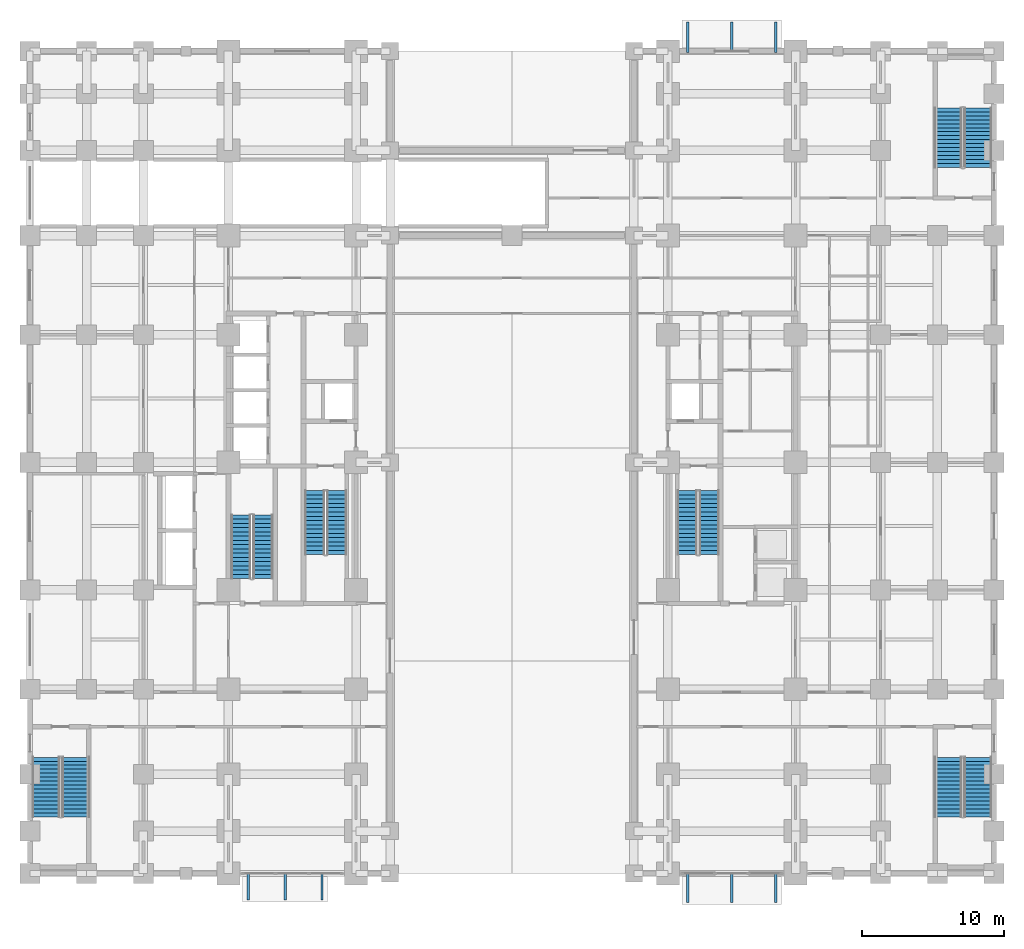
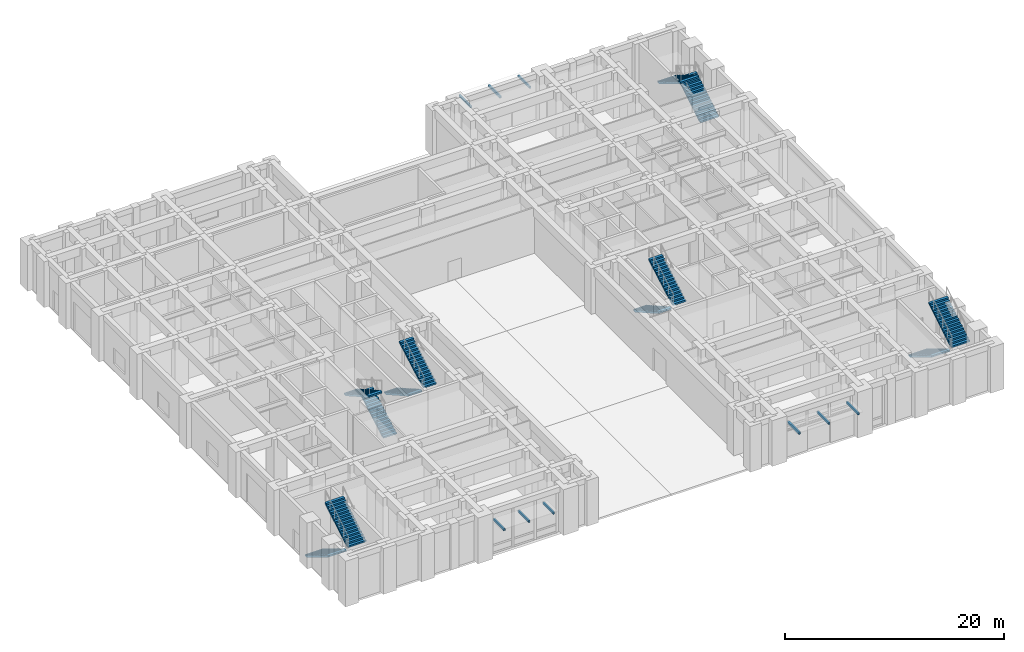
# One storey, part 13 of 20: 12 stair flights, 9 discrete accessories, 6 elements without a shape of their own.
"""IFC4 building model written with IfcOpenShell, lengths in metres."""

from ifc_helpers import new_model, si_unit, direction, frame, origin, place, context, subcontext, project, spatial, polyline, outline, extrude, material, layer, layer_set, type_object, element, aggregate, save


model = new_model("IFC4")

# Units and contexts
model_context = context("Model", 3, precision=1e-05, world=origin(), true_north=direction((0.0, 1.0)))
body_context = subcontext(model_context, "Body", "Model", "MODEL_VIEW")
ifc_project = project(units=[si_unit("LENGTHUNIT", "METRE"), si_unit("AREAUNIT", "SQUARE_METRE"), si_unit("VOLUMEUNIT", "CUBIC_METRE"), si_unit("PLANEANGLEUNIT", "RADIAN"), si_unit("MASSUNIT", "GRAM", prefix="KILO")], contexts=[model_context])

# Site, building, storey
site_placement = place(None, origin())
site = spatial("IfcSite", under=ifc_project, at=site_placement, CompositionType="ELEMENT")
building_placement = place(site_placement, origin())
building = spatial("IfcBuilding", under=site, at=building_placement, Name="Zulmaris Gate Convention Tower", CompositionType="ELEMENT")
storey_placement = place(building_placement, origin())
storey = spatial("IfcBuildingStorey", under=building, at=storey_placement, Name="L00", CompositionType="ELEMENT", Elevation=0.0)

# Stair, stair flights
ifc_material_1 = material(Name="Concrete C45/55", Category="concrete")
stair_type_1 = type_object("IfcStairType", Name="ST-CORE-DOGLEG", PredefinedType="HALF_TURN_STAIR", material=ifc_material_1)
stair_1_placement = place(storey_placement, origin())
stair_1 = element("IfcStair", 1, at=stair_1_placement, inside=storey, type_object=stair_type_1, Name="L00 Core Exit Stair ST-1", PredefinedType="HALF_TURN_STAIR")
ifc_layer_1 = layer(ifc_material_1, 0.14990234375, Name="Concrete C45/55")
ifc_layer_set_1 = layer_set([ifc_layer_1], Name="Concrete C45/55")
stair_flight_type_1 = type_object("IfcStairFlightType", Name="STF-RC150", PredefinedType="STRAIGHT", material=ifc_layer_set_1)
stair_flight_1_placement = place(storey_placement, frame((-13.919921875, -2.0, 0.0), z_axis=(0.0, 0.0, 1.0), x_axis=(0.0, -1.0, 0.0)))
stair_flight_1 = element("IfcStairFlight", 2, at=stair_flight_1_placement, type_object=stair_flight_type_1, Name="ST-1 flight 1", NumberOfRisers=16, NumberOfTreads=15, PredefinedType="STRAIGHT", RiserHeight=0.169996875, TreadLength=0.3, context=body_context, shape_type="SweptSolid", body=[
    extrude(outline(polyline([(0.0, 0.0), (0.0, 0.169921875), (0.300048828125, 0.169921875), (0.300048828125, 0.340087890625), (0.60009765625, 0.340087890625), (0.60009765625, 0.510009765625), (0.89990234375, 0.510009765625), (0.89990234375, 0.679931640625), (1.199951171875, 0.679931640625), (1.199951171875, 0.85009765625), (1.5, 0.85009765625), (1.5, 1.02001953125), (1.800048828125, 1.02001953125), (1.800048828125, 1.18994140625), (2.10009765625, 1.18994140625), (2.10009765625, 1.35986328125), (2.39990234375, 1.35986328125), (2.39990234375, 1.530029296875), (2.699951171875, 1.530029296875), (2.699951171875, 1.699951171875), (3.0, 1.699951171875), (3.0, 1.869873046875), (3.300048828125, 1.869873046875), (3.300048828125, 2.0400390625), (3.60009765625, 2.0400390625), (3.60009765625, 2.2099609375), (3.89990234375, 2.2099609375), (3.89990234375, 2.3798828125), (4.199951171875, 2.3798828125), (4.199951171875, 2.550048828125), (4.5, 2.550048828125), (4.5, 2.719970703125), (4.5, 2.377685546875), (0.303955078125, 0.0), (0.0, 0.0)])), frame((0.0, 0.699951171875, 0.0), z_axis=(0.0, -1.0, 0.0), x_axis=(1.0, 0.0, 0.0)), (0.0, 0.0, 1.0), 1.39990234375),
])
stair_flight_2_placement = place(storey_placement, frame((-12.360107421875, -6.5, 2.719970703125), z_axis=(0.0, 0.0, 1.0), x_axis=(0.0, 1.0, 0.0)))
stair_flight_2 = element("IfcStairFlight", 3, at=stair_flight_2_placement, type_object=stair_flight_type_1, Name="ST-1 flight 2", NumberOfRisers=16, NumberOfTreads=15, PredefinedType="STRAIGHT", RiserHeight=0.169996875, TreadLength=0.3, context=body_context, shape_type="SweptSolid", body=[
    extrude(outline(polyline([(0.0, 0.0), (0.0, 0.169921875), (0.300048828125, 0.169921875), (0.300048828125, 0.340087890625), (0.60009765625, 0.340087890625), (0.60009765625, 0.510009765625), (0.89990234375, 0.510009765625), (0.89990234375, 0.679931640625), (1.199951171875, 0.679931640625), (1.199951171875, 0.85009765625), (1.5, 0.85009765625), (1.5, 1.02001953125), (1.800048828125, 1.02001953125), (1.800048828125, 1.18994140625), (2.10009765625, 1.18994140625), (2.10009765625, 1.35986328125), (2.39990234375, 1.35986328125), (2.39990234375, 1.530029296875), (2.699951171875, 1.530029296875), (2.699951171875, 1.699951171875), (3.0, 1.699951171875), (3.0, 1.869873046875), (3.300048828125, 1.869873046875), (3.300048828125, 2.0400390625), (3.60009765625, 2.0400390625), (3.60009765625, 2.2099609375), (3.89990234375, 2.2099609375), (3.89990234375, 2.3798828125), (4.199951171875, 2.3798828125), (4.199951171875, 2.550048828125), (4.5, 2.550048828125), (4.5, 2.719970703125), (4.5, 2.377685546875), (0.303955078125, 0.0), (0.0, 0.0)])), frame((0.0, 0.699951171875, 0.0), z_axis=(0.0, -1.0, 0.0), x_axis=(1.0, 0.0, 0.0)), (0.0, 0.0, 1.0), 1.39990234375),
])
aggregate(stair_1, [stair_flight_1, stair_flight_2])

stair_2_placement = place(storey_placement, origin())
stair_2 = element("IfcStair", 4, at=stair_2_placement, inside=storey, type_object=stair_type_1, Name="L00 Core Exit Stair ST-2", PredefinedType="HALF_TURN_STAIR")
stair_flight_3_placement = place(storey_placement, frame((12.360107421875, -2.0, 0.0), z_axis=(0.0, 0.0, 1.0), x_axis=(0.0, -1.0, 0.0)))
stair_flight_3 = element("IfcStairFlight", 5, at=stair_flight_3_placement, type_object=stair_flight_type_1, Name="ST-2 flight 1", NumberOfRisers=16, NumberOfTreads=15, PredefinedType="STRAIGHT", RiserHeight=0.169996875, TreadLength=0.3, context=body_context, shape_type="SweptSolid", body=[
    extrude(outline(polyline([(0.0, 0.0), (0.0, 0.169921875), (0.300048828125, 0.169921875), (0.300048828125, 0.340087890625), (0.60009765625, 0.340087890625), (0.60009765625, 0.510009765625), (0.89990234375, 0.510009765625), (0.89990234375, 0.679931640625), (1.199951171875, 0.679931640625), (1.199951171875, 0.85009765625), (1.5, 0.85009765625), (1.5, 1.02001953125), (1.800048828125, 1.02001953125), (1.800048828125, 1.18994140625), (2.10009765625, 1.18994140625), (2.10009765625, 1.35986328125), (2.39990234375, 1.35986328125), (2.39990234375, 1.530029296875), (2.699951171875, 1.530029296875), (2.699951171875, 1.699951171875), (3.0, 1.699951171875), (3.0, 1.869873046875), (3.300048828125, 1.869873046875), (3.300048828125, 2.0400390625), (3.60009765625, 2.0400390625), (3.60009765625, 2.2099609375), (3.89990234375, 2.2099609375), (3.89990234375, 2.3798828125), (4.199951171875, 2.3798828125), (4.199951171875, 2.550048828125), (4.5, 2.550048828125), (4.5, 2.719970703125), (4.5, 2.377685546875), (0.303955078125, 0.0), (0.0, 0.0)])), frame((0.0, 0.699951171875, 0.0), z_axis=(0.0, -1.0, 0.0), x_axis=(1.0, 0.0, 0.0)), (0.0, 0.0, 1.0), 1.39990234375),
])
stair_flight_4_placement = place(storey_placement, frame((13.919921875, -6.5, 2.719970703125), z_axis=(0.0, 0.0, 1.0), x_axis=(0.0, 1.0, 0.0)))
stair_flight_4 = element("IfcStairFlight", 6, at=stair_flight_4_placement, type_object=stair_flight_type_1, Name="ST-2 flight 2", NumberOfRisers=16, NumberOfTreads=15, PredefinedType="STRAIGHT", RiserHeight=0.169996875, TreadLength=0.3, context=body_context, shape_type="SweptSolid", body=[
    extrude(outline(polyline([(0.0, 0.0), (0.0, 0.169921875), (0.300048828125, 0.169921875), (0.300048828125, 0.340087890625), (0.60009765625, 0.340087890625), (0.60009765625, 0.510009765625), (0.89990234375, 0.510009765625), (0.89990234375, 0.679931640625), (1.199951171875, 0.679931640625), (1.199951171875, 0.85009765625), (1.5, 0.85009765625), (1.5, 1.02001953125), (1.800048828125, 1.02001953125), (1.800048828125, 1.18994140625), (2.10009765625, 1.18994140625), (2.10009765625, 1.35986328125), (2.39990234375, 1.35986328125), (2.39990234375, 1.530029296875), (2.699951171875, 1.530029296875), (2.699951171875, 1.699951171875), (3.0, 1.699951171875), (3.0, 1.869873046875), (3.300048828125, 1.869873046875), (3.300048828125, 2.0400390625), (3.60009765625, 2.0400390625), (3.60009765625, 2.2099609375), (3.89990234375, 2.2099609375), (3.89990234375, 2.3798828125), (4.199951171875, 2.3798828125), (4.199951171875, 2.550048828125), (4.5, 2.550048828125), (4.5, 2.719970703125), (4.5, 2.377685546875), (0.303955078125, 0.0), (0.0, 0.0)])), frame((0.0, 0.699951171875, 0.0), z_axis=(0.0, -1.0, 0.0), x_axis=(1.0, 0.0, 0.0)), (0.0, 0.0, 1.0), 1.39990234375),
])
aggregate(stair_2, [stair_flight_3, stair_flight_4])

stair_3_placement = place(storey_placement, origin())
stair_3 = element("IfcStair", 7, at=stair_3_placement, inside=storey, type_object=stair_type_1, Name="L00 Core Exit Stair ST-3", PredefinedType="HALF_TURN_STAIR")
stair_flight_5_placement = place(storey_placement, frame((-17.56005859375, -8.199951171875, 0.0), z_axis=(0.0, 0.0, 1.0), x_axis=(0.0, 1.0, 0.0)))
stair_flight_5 = element("IfcStairFlight", 8, at=stair_flight_5_placement, type_object=stair_flight_type_1, Name="ST-3 flight 1", NumberOfRisers=16, NumberOfTreads=15, PredefinedType="STRAIGHT", RiserHeight=0.169996875, TreadLength=0.3, context=body_context, shape_type="SweptSolid", body=[
    extrude(outline(polyline([(0.0, 0.0), (0.0, 0.169921875), (0.300048828125, 0.169921875), (0.300048828125, 0.340087890625), (0.60009765625, 0.340087890625), (0.60009765625, 0.510009765625), (0.89990234375, 0.510009765625), (0.89990234375, 0.679931640625), (1.199951171875, 0.679931640625), (1.199951171875, 0.85009765625), (1.5, 0.85009765625), (1.5, 1.02001953125), (1.800048828125, 1.02001953125), (1.800048828125, 1.18994140625), (2.10009765625, 1.18994140625), (2.10009765625, 1.35986328125), (2.39990234375, 1.35986328125), (2.39990234375, 1.530029296875), (2.699951171875, 1.530029296875), (2.699951171875, 1.699951171875), (3.0, 1.699951171875), (3.0, 1.869873046875), (3.300048828125, 1.869873046875), (3.300048828125, 2.0400390625), (3.60009765625, 2.0400390625), (3.60009765625, 2.2099609375), (3.89990234375, 2.2099609375), (3.89990234375, 2.3798828125), (4.199951171875, 2.3798828125), (4.199951171875, 2.550048828125), (4.5, 2.550048828125), (4.5, 2.719970703125), (4.5, 2.377685546875), (0.303955078125, 0.0), (0.0, 0.0)])), frame((0.0, 0.699951171875, 0.0), z_axis=(0.0, -1.0, 0.0), x_axis=(1.0, 0.0, 0.0)), (0.0, 0.0, 1.0), 1.39990234375),
])
stair_flight_6_placement = place(storey_placement, frame((-19.1201171875, -3.699951171875, 2.719970703125), z_axis=(0.0, 0.0, 1.0), x_axis=(0.0, -1.0, 0.0)))
stair_flight_6 = element("IfcStairFlight", 9, at=stair_flight_6_placement, type_object=stair_flight_type_1, Name="ST-3 flight 2", NumberOfRisers=16, NumberOfTreads=15, PredefinedType="STRAIGHT", RiserHeight=0.169996875, TreadLength=0.3, context=body_context, shape_type="SweptSolid", body=[
    extrude(outline(polyline([(0.0, 0.0), (0.0, 0.169921875), (0.300048828125, 0.169921875), (0.300048828125, 0.340087890625), (0.60009765625, 0.340087890625), (0.60009765625, 0.510009765625), (0.89990234375, 0.510009765625), (0.89990234375, 0.679931640625), (1.199951171875, 0.679931640625), (1.199951171875, 0.85009765625), (1.5, 0.85009765625), (1.5, 1.02001953125), (1.800048828125, 1.02001953125), (1.800048828125, 1.18994140625), (2.10009765625, 1.18994140625), (2.10009765625, 1.35986328125), (2.39990234375, 1.35986328125), (2.39990234375, 1.530029296875), (2.699951171875, 1.530029296875), (2.699951171875, 1.699951171875), (3.0, 1.699951171875), (3.0, 1.869873046875), (3.300048828125, 1.869873046875), (3.300048828125, 2.0400390625), (3.60009765625, 2.0400390625), (3.60009765625, 2.2099609375), (3.89990234375, 2.2099609375), (3.89990234375, 2.3798828125), (4.199951171875, 2.3798828125), (4.199951171875, 2.550048828125), (4.5, 2.550048828125), (4.5, 2.719970703125), (4.5, 2.377685546875), (0.303955078125, 0.0), (0.0, 0.0)])), frame((0.0, 0.699951171875, 0.0), z_axis=(0.0, -1.0, 0.0), x_axis=(1.0, 0.0, 0.0)), (0.0, 0.0, 1.0), 1.39990234375),
])
aggregate(stair_3, [stair_flight_5, stair_flight_6])

stair_type_2 = type_object("IfcStairType", Name="ST-POD-DOGLEG", PredefinedType="HALF_TURN_STAIR", material=ifc_material_1)
stair_4_placement = place(storey_placement, origin())
stair_4 = element("IfcStair", 10, at=stair_4_placement, inside=storey, type_object=stair_type_2, Name="L00 Podium Exit Stair ST-4", PredefinedType="HALF_TURN_STAIR")
ifc_layer_2 = layer(ifc_material_1, 0.159912109375, Name="Concrete C45/55")
ifc_layer_set_2 = layer_set([ifc_layer_2], Name="Concrete C45/55")
stair_flight_type_2 = type_object("IfcStairFlightType", Name="STF-RC195", PredefinedType="STRAIGHT", material=ifc_layer_set_2)
stair_flight_7_placement = place(storey_placement, frame((-32.85498046875, -20.800048828125, 0.0), z_axis=(0.0, 0.0, 1.0), x_axis=(0.0, -1.0, 0.0)))
stair_flight_7 = element("IfcStairFlight", 11, at=stair_flight_7_placement, type_object=stair_flight_type_2, Name="ST-4 flight 1", NumberOfRisers=16, NumberOfTreads=15, PredefinedType="STRAIGHT", RiserHeight=0.169996875, TreadLength=0.28, context=body_context, shape_type="SweptSolid", body=[
    extrude(outline(polyline([(0.0, 0.0), (0.0, 0.169921875), (0.280029296875, 0.169921875), (0.280029296875, 0.340087890625), (0.56005859375, 0.340087890625), (0.56005859375, 0.510009765625), (0.840087890625, 0.510009765625), (0.840087890625, 0.679931640625), (1.1201171875, 0.679931640625), (1.1201171875, 0.85009765625), (1.39990234375, 0.85009765625), (1.39990234375, 1.02001953125), (1.679931640625, 1.02001953125), (1.679931640625, 1.18994140625), (1.9599609375, 1.18994140625), (1.9599609375, 1.35986328125), (2.239990234375, 1.35986328125), (2.239990234375, 1.530029296875), (2.52001953125, 1.530029296875), (2.52001953125, 1.699951171875), (2.800048828125, 1.699951171875), (2.800048828125, 1.869873046875), (3.080078125, 1.869873046875), (3.080078125, 2.0400390625), (3.360107421875, 2.0400390625), (3.360107421875, 2.2099609375), (3.639892578125, 2.2099609375), (3.639892578125, 2.3798828125), (3.919921875, 2.3798828125), (3.919921875, 2.550048828125), (4.199951171875, 2.550048828125), (4.199951171875, 2.719970703125), (4.199951171875, 2.37451171875), (0.288818359375, 0.0), (0.0, 0.0)])), frame((0.0, 0.97509765625, 0.0), z_axis=(0.0, -1.0, 0.0), x_axis=(1.0, 0.0, 0.0)), (0.0, 0.0, 1.0), 1.949951171875),
])
stair_flight_8_placement = place(storey_placement, frame((-30.7548828125, -25.0, 2.719970703125), z_axis=(0.0, 0.0, 1.0), x_axis=(0.0, 1.0, 0.0)))
stair_flight_8 = element("IfcStairFlight", 12, at=stair_flight_8_placement, type_object=stair_flight_type_2, Name="ST-4 flight 2", NumberOfRisers=16, NumberOfTreads=15, PredefinedType="STRAIGHT", RiserHeight=0.169996875, TreadLength=0.28, context=body_context, shape_type="SweptSolid", body=[
    extrude(outline(polyline([(0.0, 0.0), (0.0, 0.169921875), (0.280029296875, 0.169921875), (0.280029296875, 0.340087890625), (0.56005859375, 0.340087890625), (0.56005859375, 0.510009765625), (0.840087890625, 0.510009765625), (0.840087890625, 0.679931640625), (1.1201171875, 0.679931640625), (1.1201171875, 0.85009765625), (1.39990234375, 0.85009765625), (1.39990234375, 1.02001953125), (1.679931640625, 1.02001953125), (1.679931640625, 1.18994140625), (1.9599609375, 1.18994140625), (1.9599609375, 1.35986328125), (2.239990234375, 1.35986328125), (2.239990234375, 1.530029296875), (2.52001953125, 1.530029296875), (2.52001953125, 1.699951171875), (2.800048828125, 1.699951171875), (2.800048828125, 1.869873046875), (3.080078125, 1.869873046875), (3.080078125, 2.0400390625), (3.360107421875, 2.0400390625), (3.360107421875, 2.2099609375), (3.639892578125, 2.2099609375), (3.639892578125, 2.3798828125), (3.919921875, 2.3798828125), (3.919921875, 2.550048828125), (4.199951171875, 2.550048828125), (4.199951171875, 2.719970703125), (4.199951171875, 2.37451171875), (0.288818359375, 0.0), (0.0, 0.0)])), frame((0.0, 0.97509765625, 0.0), z_axis=(0.0, -1.0, 0.0), x_axis=(1.0, 0.0, 0.0)), (0.0, 0.0, 1.0), 1.949951171875),
])
aggregate(stair_4, [stair_flight_7, stair_flight_8])

stair_5_placement = place(storey_placement, origin())
stair_5 = element("IfcStair", 13, at=stair_5_placement, inside=storey, type_object=stair_type_2, Name="L00 Podium Exit Stair ST-5", PredefinedType="HALF_TURN_STAIR")
stair_flight_9_placement = place(storey_placement, frame((32.85498046875, 20.800048828125, 0.0), z_axis=(0.0, 0.0, 1.0), x_axis=(0.0, 1.0, 0.0)))
stair_flight_9 = element("IfcStairFlight", 14, at=stair_flight_9_placement, type_object=stair_flight_type_2, Name="ST-5 flight 1", NumberOfRisers=16, NumberOfTreads=15, PredefinedType="STRAIGHT", RiserHeight=0.169996875, TreadLength=0.28, context=body_context, shape_type="SweptSolid", body=[
    extrude(outline(polyline([(0.0, 0.0), (0.0, 0.169921875), (0.280029296875, 0.169921875), (0.280029296875, 0.340087890625), (0.56005859375, 0.340087890625), (0.56005859375, 0.510009765625), (0.840087890625, 0.510009765625), (0.840087890625, 0.679931640625), (1.1201171875, 0.679931640625), (1.1201171875, 0.85009765625), (1.39990234375, 0.85009765625), (1.39990234375, 1.02001953125), (1.679931640625, 1.02001953125), (1.679931640625, 1.18994140625), (1.9599609375, 1.18994140625), (1.9599609375, 1.35986328125), (2.239990234375, 1.35986328125), (2.239990234375, 1.530029296875), (2.52001953125, 1.530029296875), (2.52001953125, 1.699951171875), (2.800048828125, 1.699951171875), (2.800048828125, 1.869873046875), (3.080078125, 1.869873046875), (3.080078125, 2.0400390625), (3.360107421875, 2.0400390625), (3.360107421875, 2.2099609375), (3.639892578125, 2.2099609375), (3.639892578125, 2.3798828125), (3.919921875, 2.3798828125), (3.919921875, 2.550048828125), (4.199951171875, 2.550048828125), (4.199951171875, 2.719970703125), (4.199951171875, 2.37451171875), (0.288818359375, 0.0), (0.0, 0.0)])), frame((0.0, 0.97509765625, 0.0), z_axis=(0.0, -1.0, 0.0), x_axis=(1.0, 0.0, 0.0)), (0.0, 0.0, 1.0), 1.949951171875),
])
stair_flight_10_placement = place(storey_placement, frame((30.7548828125, 25.0, 2.719970703125), z_axis=(0.0, 0.0, 1.0), x_axis=(0.0, -1.0, 0.0)))
stair_flight_10 = element("IfcStairFlight", 15, at=stair_flight_10_placement, type_object=stair_flight_type_2, Name="ST-5 flight 2", NumberOfRisers=16, NumberOfTreads=15, PredefinedType="STRAIGHT", RiserHeight=0.169996875, TreadLength=0.28, context=body_context, shape_type="SweptSolid", body=[
    extrude(outline(polyline([(0.0, 0.0), (0.0, 0.169921875), (0.280029296875, 0.169921875), (0.280029296875, 0.340087890625), (0.56005859375, 0.340087890625), (0.56005859375, 0.510009765625), (0.840087890625, 0.510009765625), (0.840087890625, 0.679931640625), (1.1201171875, 0.679931640625), (1.1201171875, 0.85009765625), (1.39990234375, 0.85009765625), (1.39990234375, 1.02001953125), (1.679931640625, 1.02001953125), (1.679931640625, 1.18994140625), (1.9599609375, 1.18994140625), (1.9599609375, 1.35986328125), (2.239990234375, 1.35986328125), (2.239990234375, 1.530029296875), (2.52001953125, 1.530029296875), (2.52001953125, 1.699951171875), (2.800048828125, 1.699951171875), (2.800048828125, 1.869873046875), (3.080078125, 1.869873046875), (3.080078125, 2.0400390625), (3.360107421875, 2.0400390625), (3.360107421875, 2.2099609375), (3.639892578125, 2.2099609375), (3.639892578125, 2.3798828125), (3.919921875, 2.3798828125), (3.919921875, 2.550048828125), (4.199951171875, 2.550048828125), (4.199951171875, 2.719970703125), (4.199951171875, 2.37451171875), (0.288818359375, 0.0), (0.0, 0.0)])), frame((0.0, 0.97509765625, 0.0), z_axis=(0.0, -1.0, 0.0), x_axis=(1.0, 0.0, 0.0)), (0.0, 0.0, 1.0), 1.949951171875),
])
aggregate(stair_5, [stair_flight_9, stair_flight_10])

stair_6_placement = place(storey_placement, origin())
stair_6 = element("IfcStair", 16, at=stair_6_placement, inside=storey, type_object=stair_type_2, Name="L00 Podium Exit Stair ST-6", PredefinedType="HALF_TURN_STAIR")
stair_flight_11_placement = place(storey_placement, frame((30.7548828125, -20.800048828125, 0.0), z_axis=(0.0, 0.0, 1.0), x_axis=(0.0, -1.0, 0.0)))
stair_flight_11 = element("IfcStairFlight", 17, at=stair_flight_11_placement, type_object=stair_flight_type_2, Name="ST-6 flight 1", NumberOfRisers=16, NumberOfTreads=15, PredefinedType="STRAIGHT", RiserHeight=0.169996875, TreadLength=0.28, context=body_context, shape_type="SweptSolid", body=[
    extrude(outline(polyline([(0.0, 0.0), (0.0, 0.169921875), (0.280029296875, 0.169921875), (0.280029296875, 0.340087890625), (0.56005859375, 0.340087890625), (0.56005859375, 0.510009765625), (0.840087890625, 0.510009765625), (0.840087890625, 0.679931640625), (1.1201171875, 0.679931640625), (1.1201171875, 0.85009765625), (1.39990234375, 0.85009765625), (1.39990234375, 1.02001953125), (1.679931640625, 1.02001953125), (1.679931640625, 1.18994140625), (1.9599609375, 1.18994140625), (1.9599609375, 1.35986328125), (2.239990234375, 1.35986328125), (2.239990234375, 1.530029296875), (2.52001953125, 1.530029296875), (2.52001953125, 1.699951171875), (2.800048828125, 1.699951171875), (2.800048828125, 1.869873046875), (3.080078125, 1.869873046875), (3.080078125, 2.0400390625), (3.360107421875, 2.0400390625), (3.360107421875, 2.2099609375), (3.639892578125, 2.2099609375), (3.639892578125, 2.3798828125), (3.919921875, 2.3798828125), (3.919921875, 2.550048828125), (4.199951171875, 2.550048828125), (4.199951171875, 2.719970703125), (4.199951171875, 2.37451171875), (0.288818359375, 0.0), (0.0, 0.0)])), frame((0.0, 0.97509765625, 0.0), z_axis=(0.0, -1.0, 0.0), x_axis=(1.0, 0.0, 0.0)), (0.0, 0.0, 1.0), 1.949951171875),
])
stair_flight_12_placement = place(storey_placement, frame((32.85498046875, -25.0, 2.719970703125), z_axis=(0.0, 0.0, 1.0), x_axis=(0.0, 1.0, 0.0)))
stair_flight_12 = element("IfcStairFlight", 18, at=stair_flight_12_placement, type_object=stair_flight_type_2, Name="ST-6 flight 2", NumberOfRisers=16, NumberOfTreads=15, PredefinedType="STRAIGHT", RiserHeight=0.169996875, TreadLength=0.28, context=body_context, shape_type="SweptSolid", body=[
    extrude(outline(polyline([(0.0, 0.0), (0.0, 0.169921875), (0.280029296875, 0.169921875), (0.280029296875, 0.340087890625), (0.56005859375, 0.340087890625), (0.56005859375, 0.510009765625), (0.840087890625, 0.510009765625), (0.840087890625, 0.679931640625), (1.1201171875, 0.679931640625), (1.1201171875, 0.85009765625), (1.39990234375, 0.85009765625), (1.39990234375, 1.02001953125), (1.679931640625, 1.02001953125), (1.679931640625, 1.18994140625), (1.9599609375, 1.18994140625), (1.9599609375, 1.35986328125), (2.239990234375, 1.35986328125), (2.239990234375, 1.530029296875), (2.52001953125, 1.530029296875), (2.52001953125, 1.699951171875), (2.800048828125, 1.699951171875), (2.800048828125, 1.869873046875), (3.080078125, 1.869873046875), (3.080078125, 2.0400390625), (3.360107421875, 2.0400390625), (3.360107421875, 2.2099609375), (3.639892578125, 2.2099609375), (3.639892578125, 2.3798828125), (3.919921875, 2.3798828125), (3.919921875, 2.550048828125), (4.199951171875, 2.550048828125), (4.199951171875, 2.719970703125), (4.199951171875, 2.37451171875), (0.288818359375, 0.0), (0.0, 0.0)])), frame((0.0, 0.97509765625, 0.0), z_axis=(0.0, -1.0, 0.0), x_axis=(1.0, 0.0, 0.0)), (0.0, 0.0, 1.0), 1.949951171875),
])
aggregate(stair_6, [stair_flight_11, stair_flight_12])

# Discrete accessories
ifc_material_2 = material(Name="Stainless Steel", Category="steel")
ifc_layer_3 = layer(ifc_material_2, 0.159912109375, Name="Stainless Steel")
ifc_layer_set_3 = layer_set([ifc_layer_3], Name="Stainless Steel")
discrete_accessory_type = type_object("IfcDiscreteAccessoryType", Name="ACC-BRACKET-SS", PredefinedType="BRACKET", material=ifc_layer_set_3)
discrete_accessory_1_placement = place(storey_placement, frame((0.0, 0.0, 3.580078125)))
element("IfcDiscreteAccessory", 19, at=discrete_accessory_1_placement, inside=storey, type_object=discrete_accessory_type, Name="BRK-CNP-SOUTH-MAIN-124", PredefinedType="BRACKET", context=body_context, shape_type="SweptSolid", body=[
    extrude(outline(polyline([(12.320068359375, -31.050048828125), (12.47998046875, -31.050048828125), (12.47998046875, -28.89990234375), (12.320068359375, -28.89990234375), (12.320068359375, -31.050048828125)])), origin(), (0.0, 0.0, 1.0), 0.22998046875),
])
discrete_accessory_2_placement = place(storey_placement, frame((0.0, 0.0, 3.580078125)))
element("IfcDiscreteAccessory", 20, at=discrete_accessory_2_placement, inside=storey, type_object=discrete_accessory_type, Name="BRK-CNP-SOUTH-MAIN-155", PredefinedType="BRACKET", context=body_context, shape_type="SweptSolid", body=[
    extrude(outline(polyline([(15.419921875, -31.050048828125), (15.580078125, -31.050048828125), (15.580078125, -28.89990234375), (15.419921875, -28.89990234375), (15.419921875, -31.050048828125)])), origin(), (0.0, 0.0, 1.0), 0.22998046875),
])
discrete_accessory_3_placement = place(storey_placement, frame((0.0, 0.0, 3.580078125)))
element("IfcDiscreteAccessory", 21, at=discrete_accessory_3_placement, inside=storey, type_object=discrete_accessory_type, Name="BRK-CNP-SOUTH-MAIN-186", PredefinedType="BRACKET", context=body_context, shape_type="SweptSolid", body=[
    extrude(outline(polyline([(18.52001953125, -31.050048828125), (18.679931640625, -31.050048828125), (18.679931640625, -28.89990234375), (18.52001953125, -28.89990234375), (18.52001953125, -31.050048828125)])), origin(), (0.0, 0.0, 1.0), 0.22998046875),
])
discrete_accessory_4_placement = place(storey_placement, frame((0.0, 0.0, 3.580078125)))
element("IfcDiscreteAccessory", 22, at=discrete_accessory_4_placement, inside=storey, type_object=discrete_accessory_type, Name="BRK-CNP-NORTH-VIP-124", PredefinedType="BRACKET", context=body_context, shape_type="SweptSolid", body=[
    extrude(outline(polyline([(12.320068359375, 28.89990234375), (12.47998046875, 28.89990234375), (12.47998046875, 31.050048828125), (12.320068359375, 31.050048828125), (12.320068359375, 28.89990234375)])), origin(), (0.0, 0.0, 1.0), 0.22998046875),
])
discrete_accessory_5_placement = place(storey_placement, frame((0.0, 0.0, 3.580078125)))
element("IfcDiscreteAccessory", 23, at=discrete_accessory_5_placement, inside=storey, type_object=discrete_accessory_type, Name="BRK-CNP-NORTH-VIP-155", PredefinedType="BRACKET", context=body_context, shape_type="SweptSolid", body=[
    extrude(outline(polyline([(15.419921875, 28.89990234375), (15.580078125, 28.89990234375), (15.580078125, 31.050048828125), (15.419921875, 31.050048828125), (15.419921875, 28.89990234375)])), origin(), (0.0, 0.0, 1.0), 0.22998046875),
])
discrete_accessory_6_placement = place(storey_placement, frame((0.0, 0.0, 3.580078125)))
element("IfcDiscreteAccessory", 24, at=discrete_accessory_6_placement, inside=storey, type_object=discrete_accessory_type, Name="BRK-CNP-NORTH-VIP-186", PredefinedType="BRACKET", context=body_context, shape_type="SweptSolid", body=[
    extrude(outline(polyline([(18.52001953125, 28.89990234375), (18.679931640625, 28.89990234375), (18.679931640625, 31.050048828125), (18.52001953125, 31.050048828125), (18.52001953125, 28.89990234375)])), origin(), (0.0, 0.0, 1.0), 0.22998046875),
])
discrete_accessory_7_placement = place(storey_placement, frame((0.0, 0.0, 3.580078125)))
element("IfcDiscreteAccessory", 25, at=discrete_accessory_7_placement, inside=storey, type_object=discrete_accessory_type, Name="BRK-CNP-WEST-REG--186", PredefinedType="BRACKET", context=body_context, shape_type="SweptSolid", body=[
    extrude(outline(polyline([(-18.679931640625, -30.85009765625), (-18.52001953125, -30.85009765625), (-18.52001953125, -28.89990234375), (-18.679931640625, -28.89990234375), (-18.679931640625, -30.85009765625)])), origin(), (0.0, 0.0, 1.0), 0.22998046875),
])
discrete_accessory_8_placement = place(storey_placement, frame((0.0, 0.0, 3.580078125)))
element("IfcDiscreteAccessory", 26, at=discrete_accessory_8_placement, inside=storey, type_object=discrete_accessory_type, Name="BRK-CNP-WEST-REG--160", PredefinedType="BRACKET", context=body_context, shape_type="SweptSolid", body=[
    extrude(outline(polyline([(-16.080078125, -30.85009765625), (-15.919921875, -30.85009765625), (-15.919921875, -28.89990234375), (-16.080078125, -28.89990234375), (-16.080078125, -30.85009765625)])), origin(), (0.0, 0.0, 1.0), 0.22998046875),
])
discrete_accessory_9_placement = place(storey_placement, frame((0.0, 0.0, 3.580078125)))
element("IfcDiscreteAccessory", 27, at=discrete_accessory_9_placement, inside=storey, type_object=discrete_accessory_type, Name="BRK-CNP-WEST-REG--134", PredefinedType="BRACKET", context=body_context, shape_type="SweptSolid", body=[
    extrude(outline(polyline([(-13.47998046875, -30.85009765625), (-13.320068359375, -30.85009765625), (-13.320068359375, -28.89990234375), (-13.47998046875, -28.89990234375), (-13.47998046875, -30.85009765625)])), origin(), (0.0, 0.0, 1.0), 0.22998046875),
])

save(model, "model.ifc")
